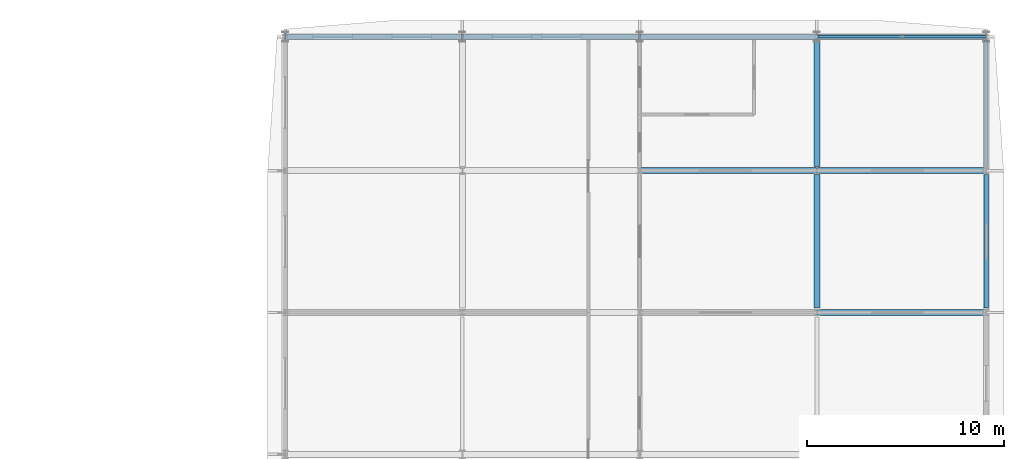
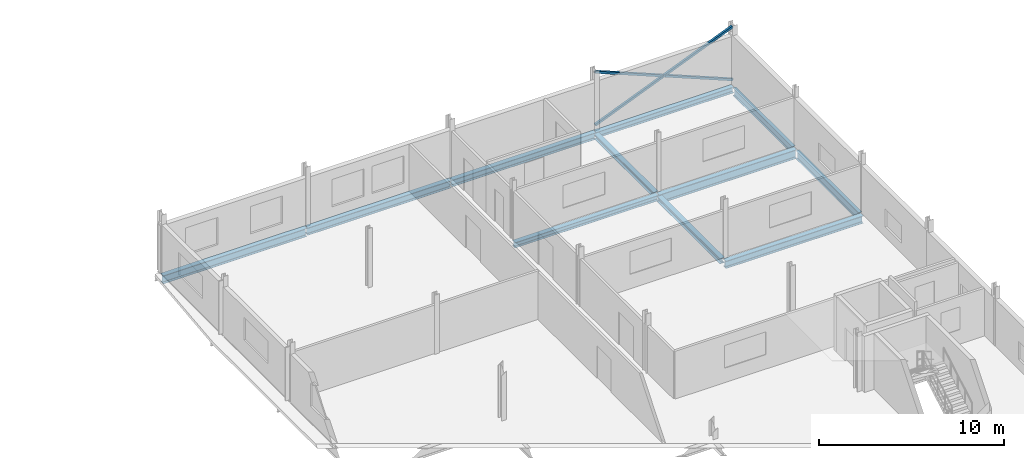
# One storey, part 44 of 78: 11 beams, 3 members.
"""IFC4 building model written with IfcOpenShell, lengths in metres."""

from ifc_helpers import new_model, si_unit, direction, frame, origin, origin_2d, place, context, subcontext, project, spatial, hollow_rectangle, i_section, extrude, material, material_profile, profile_set, type_object, element, save


model = new_model("IFC4")

# Units and contexts
model_context = context("Model", 3, precision=1e-05, world=origin(), true_north=direction((0.0, 1.0)))
body_context = subcontext(model_context, "Body", "Model", "MODEL_VIEW")
ifc_project = project(units=[si_unit("LENGTHUNIT", "METRE"), si_unit("AREAUNIT", "SQUARE_METRE"), si_unit("VOLUMEUNIT", "CUBIC_METRE"), si_unit("PLANEANGLEUNIT", "RADIAN"), si_unit("MASSUNIT", "GRAM", prefix="KILO")], contexts=[model_context])

# Site, building, storey
site_placement = place(None, origin())
site = spatial("IfcSite", under=ifc_project, at=site_placement, CompositionType="ELEMENT")
building_placement = place(site_placement, origin())
building = spatial("IfcBuilding", under=site, at=building_placement, Name="Vinh Khe Railworks Police Headquarters", CompositionType="ELEMENT")
storey_placement = place(building_placement, frame((0.0, 0.0, 13.199951171875)))
storey = spatial("IfcBuildingStorey", under=building, at=storey_placement, Name="L03", CompositionType="ELEMENT", Elevation=13.199951171875)

# Members
ifc_material = material(Name="Steel S355JR", Category="steel")
ifc_material_profile_1 = material_profile(ifc_material, hollow_rectangle(XDim=0.139892578125, YDim=0.139892578125, WallThickness=0.008056640625, at=origin_2d()), Name="SHS 140x140x8")
ifc_profile_set_1 = profile_set([ifc_material_profile_1], Name="Steel S355JR")
member_type = type_object("IfcMemberType", Name="Concentric Brace SHS 140x140x8", PredefinedType="BRACE", material=ifc_profile_set_1)
member_placement = place(storey_placement, frame((105.02001953125, 166.39990234375, 0.199951171875), z_axis=(0.925616747105, 0.0, 0.378462200858), x_axis=(0.0, 1.0, 0.0)))
element("IfcMember", 1, at=member_placement, inside=storey, type_object=member_type, Name="Continuous Concentric Brace MEM-BR-L03-BR-06-058", PredefinedType="BRACE", context=body_context, shape_type="SweptSolid", body=[
    extrude(hollow_rectangle(XDim=0.139892578125, YDim=0.139892578125, WallThickness=0.008056640625, at=origin_2d()), origin(), (0.0, 0.0, 1.0), 9.248046875),
])
for number, where, z_axis, x_axis, name in (
    (2, (105.02001953125, 166.39990234375, 3.699951171875), (0.925619571603, 0.0, -0.378455292823), (0.0, 1.0, 0.0), "Split X-Brace Segment MEM-BR-L03-BR-06-059 (2A)"),
    (3, (109.367431640625, 166.39990234375, 1.92236328125), (0.925619571603, 0.0, -0.378455292823), (0.0, 1.0, 0.0), "Split X-Brace Segment MEM-BR-L03-BR-06-060 (2B)"),
):
    element("IfcMember", number, at=place(storey_placement, frame(where, z_axis=z_axis, x_axis=x_axis)), inside=storey, type_object=member_type, Name=name, PredefinedType="BRACE", context=body_context, shape_type="SweptSolid", body=[
        extrude(hollow_rectangle(XDim=0.139892578125, YDim=0.139892578125, WallThickness=0.008056640625, at=origin_2d()), origin(), (0.0, 0.0, 1.0), 4.55126953125),
    ])

# Beams
ifc_material_profile_2 = material_profile(ifc_material, i_section(OverallWidth=0.300048828125, OverallDepth=0.330078125, WebThickness=0.009521484375, FlangeThickness=0.0166015625, FilletRadius=0.027099609375, at=origin_2d()), Name="HEA 340")
ifc_profile_set_2 = profile_set([ifc_material_profile_2], Name="Steel S355JR")
beam_type_1 = type_object("IfcBeamType", Name="Steel Girder HEA 340", PredefinedType="BEAM", material=ifc_profile_set_2)
beam_1_placement = place(storey_placement, frame((105.0, 159.804931640625, -0.385009765625), z_axis=(0.0, 1.0, 0.0), x_axis=(-1.0, 0.0, 0.0)))
element("IfcBeam", 4, at=beam_1_placement, inside=storey, type_object=beam_type_1, Name="Girder BM-L03-NS-SB-16-1262", PredefinedType="BEAM", context=body_context, shape_type="SweptSolid", body=[
    extrude(i_section(OverallWidth=0.300048828125, OverallDepth=0.330078125, WebThickness=0.009521484375, FlangeThickness=0.0166015625, FilletRadius=0.027099609375, at=origin_2d()), origin(), (0.0, 0.0, 1.0), 6.4150390625),
])
ifc_material_profile_3 = material_profile(ifc_material, i_section(OverallWidth=0.300048828125, OverallDepth=0.35009765625, WebThickness=0.010009765625, FlangeThickness=0.017578125, FilletRadius=0.027099609375, at=origin_2d()), Name="HEA 360")
ifc_profile_set_3 = profile_set([ifc_material_profile_3], Name="Steel S355JR")
beam_type_2 = type_object("IfcBeamType", Name="Steel Girder HEA 360", PredefinedType="BEAM", material=ifc_profile_set_3)
beam_2_placement = place(storey_placement, frame((96.02001953125, 159.60009765625, -0.39501953125), z_axis=(1.0, 0.0, 0.0), x_axis=(0.0, 1.0, 0.0)))
element("IfcBeam", 5, at=beam_2_placement, inside=storey, type_object=beam_type_2, Name="Girder BM-L03-EW-SB-15-1140", PredefinedType="BEAM", context=body_context, shape_type="SweptSolid", body=[
    extrude(i_section(OverallWidth=0.300048828125, OverallDepth=0.35009765625, WebThickness=0.010009765625, FlangeThickness=0.017578125, FilletRadius=0.027099609375, at=origin_2d()), origin(), (0.0, 0.0, 1.0), 8.9599609375),
])
beam_3_placement = place(storey_placement, frame((105.0, 152.6298828125, -0.39501953125), z_axis=(0.0, 1.0, 0.0), x_axis=(-1.0, 0.0, 0.0)))
element("IfcBeam", 6, at=beam_3_placement, inside=storey, type_object=beam_type_2, Name="Girder BM-L03-NS-SB-15-1261", PredefinedType="BEAM", context=body_context, shape_type="SweptSolid", body=[
    extrude(i_section(OverallWidth=0.300048828125, OverallDepth=0.35009765625, WebThickness=0.010009765625, FlangeThickness=0.017578125, FilletRadius=0.027099609375, at=origin_2d()), origin(), (0.0, 0.0, 1.0), 6.76513671875),
])
ifc_material_profile_4 = material_profile(ifc_material, i_section(OverallWidth=0.300048828125, OverallDepth=0.389892578125, WebThickness=0.010986328125, FlangeThickness=0.01904296875, FilletRadius=0.027099609375, at=origin_2d()), Name="HEA 400")
ifc_profile_set_4 = profile_set([ifc_material_profile_4], Name="Steel S355JR")
beam_type_3 = type_object("IfcBeamType", Name="Steel Girder HEA 400", PredefinedType="BEAM", material=ifc_profile_set_4)
beam_4_placement = place(storey_placement, frame((105.02001953125, 166.39990234375, -0.4150390625), z_axis=(1.0, 0.0, 0.0), x_axis=(0.0, 1.0, 0.0)))
element("IfcBeam", 7, at=beam_4_placement, inside=storey, type_object=beam_type_3, Name="Girder BM-L03-EW-SB-14-1145", PredefinedType="BEAM", context=body_context, shape_type="SweptSolid", body=[
    extrude(i_section(OverallWidth=0.300048828125, OverallDepth=0.389892578125, WebThickness=0.010986328125, FlangeThickness=0.01904296875, FilletRadius=0.027099609375, at=origin_2d()), origin(), (0.0, 0.0, 1.0), 8.56005859375),
])
ifc_material_profile_5 = material_profile(ifc_material, i_section(OverallWidth=0.300048828125, OverallDepth=0.43994140625, WebThickness=0.011474609375, FlangeThickness=0.02099609375, FilletRadius=0.027099609375, at=origin_2d()), Name="HEA 450")
ifc_profile_set_5 = profile_set([ifc_material_profile_5], Name="Steel S355JR")
beam_type_4 = type_object("IfcBeamType", Name="Steel Girder HEA 450", PredefinedType="BEAM", material=ifc_profile_set_5)
beam_5_placement = place(storey_placement, frame((96.02001953125, 166.39990234375, -0.43994140625), z_axis=(1.0, 0.0, 0.0), x_axis=(0.0, 1.0, 0.0)))
element("IfcBeam", 8, at=beam_5_placement, inside=storey, type_object=beam_type_4, Name="Girder BM-L03-EW-SB-13-1144", PredefinedType="BEAM", context=body_context, shape_type="SweptSolid", body=[
    extrude(i_section(OverallWidth=0.300048828125, OverallDepth=0.43994140625, WebThickness=0.011474609375, FlangeThickness=0.02099609375, FilletRadius=0.027099609375, at=origin_2d()), origin(), (0.0, 0.0, 1.0), 8.9599609375),
])
ifc_material_profile_6 = material_profile(ifc_material, i_section(OverallWidth=0.300048828125, OverallDepth=0.489990234375, WebThickness=0.011962890625, FlangeThickness=0.02294921875, FilletRadius=0.027099609375, at=origin_2d()), Name="HEA 500")
ifc_profile_set_6 = profile_set([ifc_material_profile_6], Name="Steel S355JR")
beam_type_5 = type_object("IfcBeamType", Name="Steel Girder HEA 500", PredefinedType="BEAM", material=ifc_profile_set_6)
beam_6_placement = place(storey_placement, frame((105.02001953125, 152.39990234375, -0.46484375), z_axis=(1.0, 0.0, 0.0), x_axis=(0.0, 1.0, 0.0)))
element("IfcBeam", 9, at=beam_6_placement, inside=storey, type_object=beam_type_5, Name="Girder BM-L03-EW-SB-12-1137", PredefinedType="BEAM", context=body_context, shape_type="SweptSolid", body=[
    extrude(i_section(OverallWidth=0.300048828125, OverallDepth=0.489990234375, WebThickness=0.011962890625, FlangeThickness=0.02294921875, FilletRadius=0.027099609375, at=origin_2d()), origin(), (0.0, 0.0, 1.0), 8.56005859375),
])
beam_7_placement = place(storey_placement, frame((87.02001953125, 166.39990234375, -0.46484375), z_axis=(1.0, 0.0, 0.0), x_axis=(0.0, 1.0, 0.0)))
element("IfcBeam", 10, at=beam_7_placement, inside=storey, type_object=beam_type_5, Name="Girder BM-L03-EW-SB-12-1143", PredefinedType="BEAM", context=body_context, shape_type="SweptSolid", body=[
    extrude(i_section(OverallWidth=0.300048828125, OverallDepth=0.489990234375, WebThickness=0.011962890625, FlangeThickness=0.02294921875, FilletRadius=0.027099609375, at=origin_2d()), origin(), (0.0, 0.0, 1.0), 8.9599609375),
])
ifc_material_profile_7 = material_profile(ifc_material, i_section(OverallWidth=0.300048828125, OverallDepth=0.5400390625, WebThickness=0.012451171875, FlangeThickness=0.02392578125, FilletRadius=0.027099609375, at=origin_2d()), Name="HEA 550")
ifc_profile_set_7 = profile_set([ifc_material_profile_7], Name="Steel S355JR")
beam_type_6 = type_object("IfcBeamType", Name="Steel Girder HEA 550", PredefinedType="BEAM", material=ifc_profile_set_7)
beam_8_placement = place(storey_placement, frame((78.02001953125, 166.39990234375, -0.489990234375), z_axis=(1.0, 0.0, 0.0), x_axis=(0.0, 1.0, 0.0)))
element("IfcBeam", 11, at=beam_8_placement, inside=storey, type_object=beam_type_6, Name="Girder BM-L03-EW-SB-11-1142", PredefinedType="BEAM", context=body_context, shape_type="SweptSolid", body=[
    extrude(i_section(OverallWidth=0.300048828125, OverallDepth=0.5400390625, WebThickness=0.012451171875, FlangeThickness=0.02392578125, FilletRadius=0.027099609375, at=origin_2d()), origin(), (0.0, 0.0, 1.0), 8.9599609375),
])
ifc_material_profile_8 = material_profile(ifc_material, i_section(OverallWidth=0.300048828125, OverallDepth=0.590087890625, WebThickness=0.012939453125, FlangeThickness=0.02490234375, FilletRadius=0.027099609375, at=origin_2d()), Name="HEA 600")
ifc_profile_set_8 = profile_set([ifc_material_profile_8], Name="Steel S355JR")
beam_type_7 = type_object("IfcBeamType", Name="Steel Girder HEA 600", PredefinedType="BEAM", material=ifc_profile_set_8)
beam_9_placement = place(storey_placement, frame((105.02001953125, 159.60009765625, -0.514892578125), z_axis=(1.0, 0.0, 0.0), x_axis=(0.0, 1.0, 0.0)))
element("IfcBeam", 12, at=beam_9_placement, inside=storey, type_object=beam_type_7, Name="Girder BM-L03-EW-SB-10-1141", PredefinedType="BEAM", context=body_context, shape_type="SweptSolid", body=[
    extrude(i_section(OverallWidth=0.300048828125, OverallDepth=0.590087890625, WebThickness=0.012939453125, FlangeThickness=0.02490234375, FilletRadius=0.027099609375, at=origin_2d()), origin(), (0.0, 0.0, 1.0), 8.56005859375),
])
ifc_material_profile_9 = material_profile(ifc_material, i_section(OverallWidth=0.199951171875, OverallDepth=0.5, WebThickness=0.01025390625, FlangeThickness=0.01611328125, FilletRadius=0.02099609375, at=origin_2d()), Name="IPE 500")
ifc_profile_set_9 = profile_set([ifc_material_profile_9], Name="Steel S355JR")
beam_type_8 = type_object("IfcBeamType", Name="Steel Girder IPE 500", PredefinedType="BEAM", material=ifc_profile_set_9)
beam_10_placement = place(storey_placement, frame((113.60009765625, 159.804931640625, -0.469970703125), z_axis=(0.0, 1.0, 0.0), x_axis=(-1.0, 0.0, 0.0)))
element("IfcBeam", 13, at=beam_10_placement, inside=storey, type_object=beam_type_8, Name="Girder BM-L03-NS-SB-19-1271", PredefinedType="BEAM", context=body_context, shape_type="SweptSolid", body=[
    extrude(i_section(OverallWidth=0.199951171875, OverallDepth=0.5, WebThickness=0.01025390625, FlangeThickness=0.01611328125, FilletRadius=0.02099609375, at=origin_2d()), origin(), (0.0, 0.0, 1.0), 6.4150390625),
])
ifc_material_profile_10 = material_profile(ifc_material, i_section(OverallWidth=0.2099609375, OverallDepth=0.550048828125, WebThickness=0.010986328125, FlangeThickness=0.01708984375, FilletRadius=0.02392578125, at=origin_2d()), Name="IPE 550")
ifc_profile_set_10 = profile_set([ifc_material_profile_10], Name="Steel S355JR")
beam_type_9 = type_object("IfcBeamType", Name="Steel Girder IPE 550", PredefinedType="BEAM", material=ifc_profile_set_10)
beam_11_placement = place(storey_placement, frame((113.60009765625, 152.6298828125, -0.494873046875), z_axis=(0.0, 1.0, 0.0), x_axis=(-1.0, 0.0, 0.0)))
element("IfcBeam", 14, at=beam_11_placement, inside=storey, type_object=beam_type_9, Name="Girder BM-L03-NS-SB-18-1270", PredefinedType="BEAM", context=body_context, shape_type="SweptSolid", body=[
    extrude(i_section(OverallWidth=0.2099609375, OverallDepth=0.550048828125, WebThickness=0.010986328125, FlangeThickness=0.01708984375, FilletRadius=0.02392578125, at=origin_2d()), origin(), (0.0, 0.0, 1.0), 6.76513671875),
])

save(model, "model.ifc")
